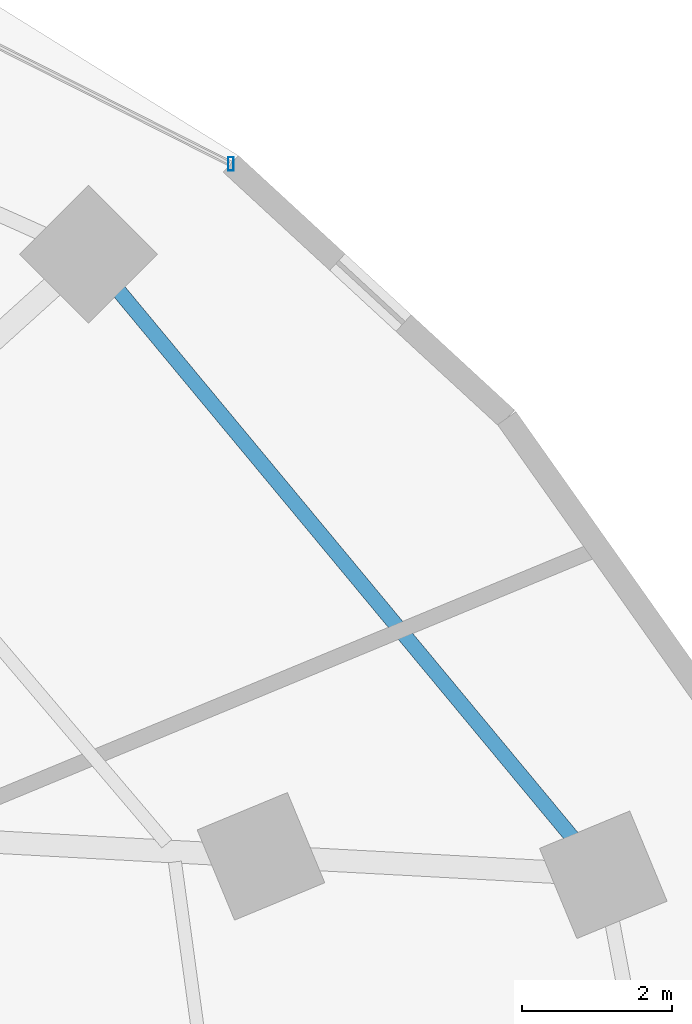
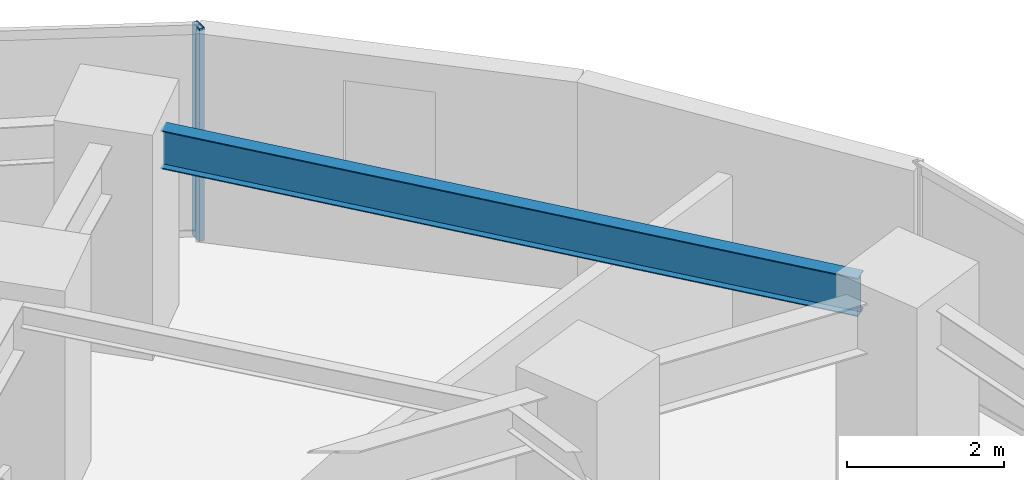
# One storey, part 24 of 34: 1 beam, 1 member, 1 element without a shape of its own.
"""IFC4 building model written with IfcOpenShell, lengths in metres."""

from ifc_helpers import new_model, si_unit, direction, frame, origin, origin_2d, place, context, subcontext, project, spatial, hollow_rectangle, i_section, extrude, material, material_profile, profile_set, type_object, element, aggregate, save


model = new_model("IFC4")

# Units and contexts
model_context = context("Model", 3, precision=1e-05, world=origin(), true_north=direction((0.0, 1.0)))
body_context = subcontext(model_context, "Body", "Model", "MODEL_VIEW")
ifc_project = project(units=[si_unit("LENGTHUNIT", "METRE"), si_unit("AREAUNIT", "SQUARE_METRE"), si_unit("VOLUMEUNIT", "CUBIC_METRE"), si_unit("PLANEANGLEUNIT", "RADIAN"), si_unit("MASSUNIT", "GRAM", prefix="KILO")], contexts=[model_context])

# Site, building, storey
site_placement = place(None, origin())
site = spatial("IfcSite", under=ifc_project, at=site_placement, CompositionType="ELEMENT")
building_placement = place(site_placement, origin())
building = spatial("IfcBuilding", under=site, at=building_placement, Name="Vorneva Point Tower", CompositionType="ELEMENT")
storey_placement = place(building_placement, frame((0.0, 0.0, 27.5)))
storey = spatial("IfcBuildingStorey", under=building, at=storey_placement, Name="L06", CompositionType="ELEMENT", Elevation=27.5)

# Beam
ifc_material_1 = material(Name="Steel S355", Category="steel")
ifc_material_profile_1 = material_profile(ifc_material_1, i_section(OverallWidth=0.198974609375, OverallDepth=0.595947265625, WebThickness=0.010009765625, FlangeThickness=0.014892578125, at=origin_2d()), Name="60B1")
ifc_profile_set_1 = profile_set([ifc_material_profile_1], Name="Steel S355")
beam_type = type_object("IfcBeamType", Name="BM-SPN-60B1", PredefinedType="SPANDREL", material=ifc_profile_set_1)
beam_placement = place(storey_placement, frame((63.448974609375, 32.825439453125, 2.94189453125), z_axis=(-0.638610485359, 0.769530147551, 0.0), x_axis=(-0.769530147551, -0.638610485359, 0.0)))
element("IfcBeam", 1, at=beam_placement, inside=storey, type_object=beam_type, Name="L06 Perimeter Spandrel Ring Beam 02", PredefinedType="SPANDREL", context=body_context, shape_type="SweptSolid", body=[
    extrude(i_section(OverallWidth=0.198974609375, OverallDepth=0.595947265625, WebThickness=0.010009765625, FlangeThickness=0.014892578125, at=origin_2d()), origin(), (0.0, 0.0, 1.0), 9.4677734375),
])

# Curtain wall, member
ifc_material_2 = material(Name="Pale anodised aluminium", Category="aluminium")
curtain_wall_type = type_object("IfcCurtainWallType", Name="CW-HTL-SYS", PredefinedType="NOTDEFINED", material=ifc_material_2)
curtain_wall_placement = place(storey_placement, origin())
curtain_wall = element("IfcCurtainWall", 2, at=curtain_wall_placement, inside=storey, type_object=curtain_wall_type, Name="L06 Unitised Curtain Wall CW-L06-R02", PredefinedType="NOTDEFINED")
ifc_material_profile_2 = material_profile(ifc_material_2, hollow_rectangle(XDim=0.074951171875, YDim=0.179931640625, WallThickness=0.00390625, at=origin_2d()), Name="AL-MUL 180x75x4")
ifc_profile_set_2 = profile_set([ifc_material_profile_2], Name="Pale anodised aluminium")
member_type = type_object("IfcMemberType", Name="CW-MUL-180", PredefinedType="MULLION", material=ifc_profile_set_2)
member_placement = place(storey_placement, frame((58.89501953125, 41.8037109375, -0.0400390625), z_axis=(0.0, 0.0, 1.0), x_axis=(1.0, 0.0, 0.0)))
member = element("IfcMember", 3, at=member_placement, type_object=member_type, Name="CW-L06-R02 Mullion 01", PredefinedType="MULLION", context=body_context, shape_type="SweptSolid", body=[
    extrude(hollow_rectangle(XDim=0.074951171875, YDim=0.179931640625, WallThickness=0.00390625, at=origin_2d()), origin(), (0.0, 0.0, 1.0), 3.31005859375),
])
aggregate(curtain_wall, [member])

save(model, "model.ifc")
